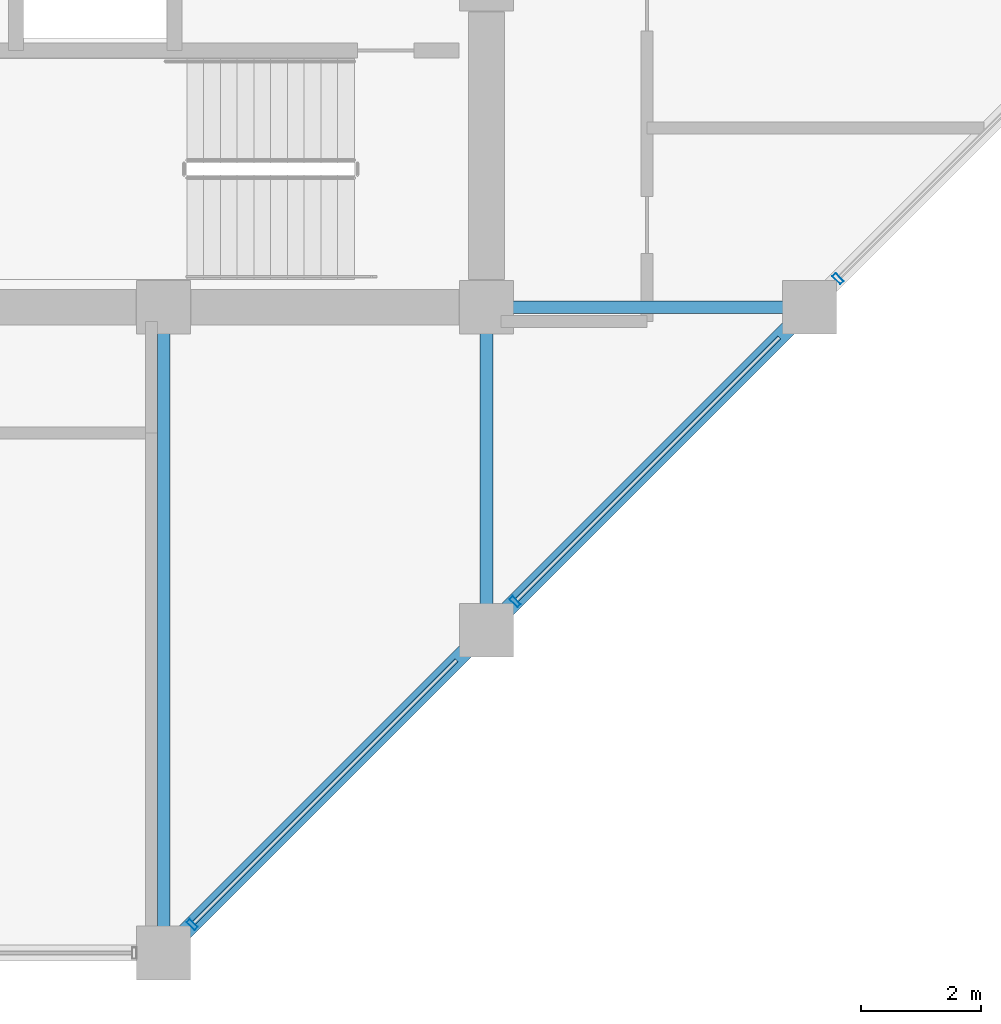
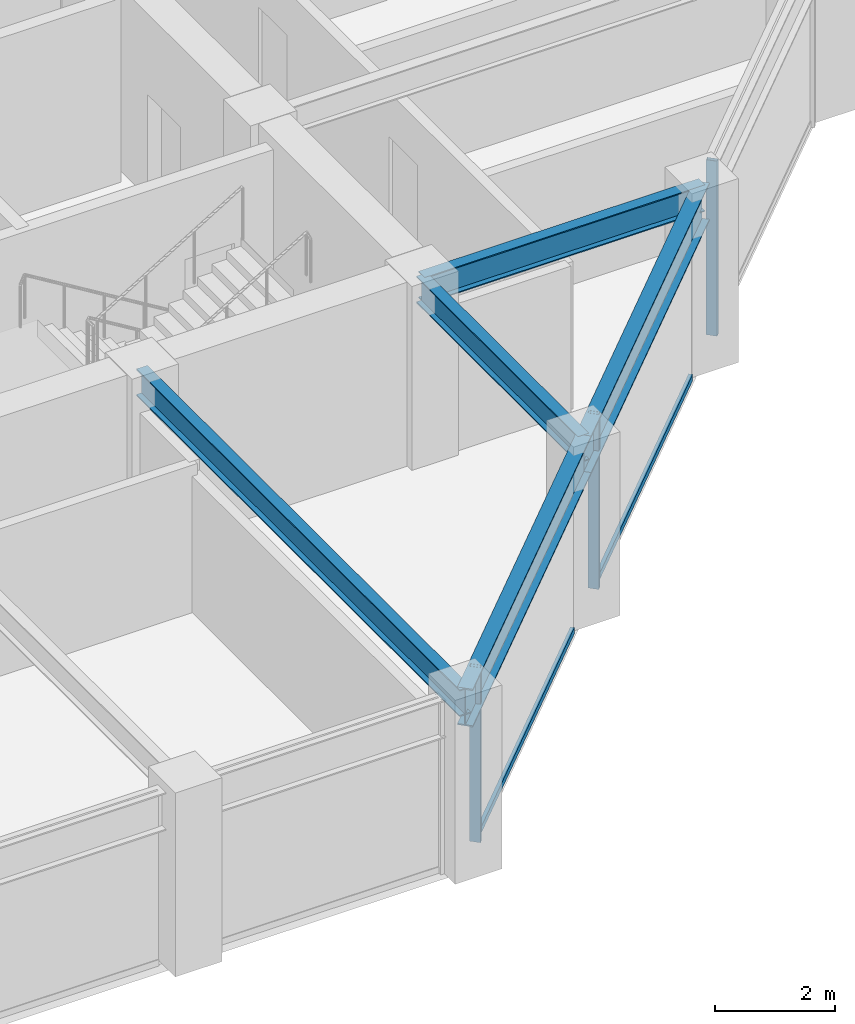
# One storey, part 12 of 32: 5 beams, 5 members, 1 element without a shape of its own.
"""IFC4 building model written with IfcOpenShell, lengths in metres."""

from ifc_helpers import new_model, si_unit, direction, frame, origin, origin_2d, place, context, subcontext, project, spatial, hollow_rectangle, i_section, extrude, material, layer, layer_set, material_profile, profile_set, type_object, element, aggregate, save


model = new_model("IFC4")

# Units and contexts
model_context = context("Model", 3, precision=1e-05, world=origin(), true_north=direction((0.0, 1.0)))
body_context = subcontext(model_context, "Body", "Model", "MODEL_VIEW")
ifc_project = project(units=[si_unit("LENGTHUNIT", "METRE"), si_unit("AREAUNIT", "SQUARE_METRE"), si_unit("VOLUMEUNIT", "CUBIC_METRE"), si_unit("PLANEANGLEUNIT", "RADIAN"), si_unit("MASSUNIT", "GRAM", prefix="KILO")], contexts=[model_context])

# Site, building, storey
site_placement = place(None, origin())
site = spatial("IfcSite", under=ifc_project, at=site_placement, CompositionType="ELEMENT")
building_placement = place(site_placement, origin())
building = spatial("IfcBuilding", under=site, at=building_placement, Name="Surkhivell Harbour Commons", CompositionType="ELEMENT")
storey_placement = place(building_placement, frame((0.0, 0.0, 204.75)))
storey = spatial("IfcBuildingStorey", under=building, at=storey_placement, Name="L53", CompositionType="ELEMENT", Elevation=204.75)

# Beams
ifc_material_1 = material(Name="Steel S355", Category="steel")
ifc_material_profile_1 = material_profile(ifc_material_1, i_section(OverallWidth=0.2119140625, OverallDepth=0.5439453125, WebThickness=0.0126953125, FlangeThickness=0.021240234375, at=origin_2d()), Name="UB533x210x122")
ifc_profile_set_1 = profile_set([ifc_material_profile_1], Name="Steel S355")
beam_type_1 = type_object("IfcBeamType", Name="BM-GRD-533A", PredefinedType="BEAM", material=ifc_profile_set_1)
beam_1_placement = place(storey_placement, frame((5.39990234375, -21.60009765625, 3.298095703125), z_axis=(0.0, 1.0, 0.0), x_axis=(-1.0, 0.0, 0.0)))
element("IfcBeam", 1, at=beam_1_placement, inside=storey, type_object=beam_type_1, Name="L53 Floor Girder (5.4,-21.6)", PredefinedType="BEAM", context=body_context, shape_type="SweptSolid", body=[
    extrude(i_section(OverallWidth=0.2119140625, OverallDepth=0.5439453125, WebThickness=0.0126953125, FlangeThickness=0.021240234375, at=origin_2d()), origin(), (0.0, 0.0, 1.0), 10.800048828125),
])
for number, where, z_axis, x_axis, name in (
    (2, (10.800048828125, -16.199951171875, 3.298095703125), (0.0, 1.0, 0.0), (-1.0, 0.0, 0.0), "L53 Floor Girder (10.8,-16.2)"),
    (3, (10.800048828125, -10.800048828125, 3.298095703125), (1.0, 0.0, 0.0), (0.0, 1.0, 0.0), "L53 Floor Girder (10.8,-10.8)"),
):
    element("IfcBeam", number, at=place(storey_placement, frame(where, z_axis=z_axis, x_axis=x_axis)), inside=storey, type_object=beam_type_1, Name=name, PredefinedType="BEAM", context=body_context, shape_type="SweptSolid", body=[
        extrude(i_section(OverallWidth=0.2119140625, OverallDepth=0.5439453125, WebThickness=0.0126953125, FlangeThickness=0.021240234375, at=origin_2d()), origin(), (0.0, 0.0, 1.0), 5.39990234375),
    ])
ifc_material_profile_2 = material_profile(ifc_material_1, i_section(OverallWidth=0.26806640625, OverallDepth=0.77001953125, WebThickness=0.015625, FlangeThickness=0.025390625, at=origin_2d()), Name="UB762x267x197")
ifc_profile_set_2 = profile_set([ifc_material_profile_2], Name="Steel S355")
beam_type_2 = type_object("IfcBeamType", Name="BM-SPN-762", PredefinedType="SPANDREL", material=ifc_profile_set_2)
beam_2_placement = place(storey_placement, frame((5.39990234375, -21.60009765625, 3.18505859375), z_axis=(0.707106781187, 0.707106781187, 0.0), x_axis=(-0.707106781187, 0.707106781187, 0.0)))
element("IfcBeam", 4, at=beam_2_placement, inside=storey, type_object=beam_type_2, Name="L53 Tube Spandrel (5.4,-21.6)", PredefinedType="SPANDREL", context=body_context, shape_type="SweptSolid", body=[
    extrude(i_section(OverallWidth=0.26806640625, OverallDepth=0.77001953125, WebThickness=0.015625, FlangeThickness=0.025390625, at=origin_2d()), origin(), (0.0, 0.0, 1.0), 7.636962890625),
])
beam_3_placement = place(storey_placement, frame((10.800048828125, -16.199951171875, 3.18505859375), z_axis=(0.707106781187, 0.707106781187, 0.0), x_axis=(-0.707106781187, 0.707106781187, 0.0)))
element("IfcBeam", 5, at=beam_3_placement, inside=storey, type_object=beam_type_2, Name="L53 Tube Spandrel (10.8,-16.2)", PredefinedType="SPANDREL", context=body_context, shape_type="SweptSolid", body=[
    extrude(i_section(OverallWidth=0.26806640625, OverallDepth=0.77001953125, WebThickness=0.015625, FlangeThickness=0.025390625, at=origin_2d()), origin(), (0.0, 0.0, 1.0), 7.63671875),
])

# Curtain wall, members
ifc_material_2 = material(Name="Anodised pale-metal aluminium and insulated glazing", Category="aluminium")
ifc_layer = layer(ifc_material_2, 0.18994140625)
ifc_layer_set = layer_set([ifc_layer], Name="Anodised pale-metal aluminium and insulated glazing")
curtain_wall_type = type_object("IfcCurtainWallType", Name="CW-SYS-Z3", PredefinedType="NOTDEFINED", material=ifc_layer_set)
curtain_wall_placement = place(storey_placement, origin())
curtain_wall = element("IfcCurtainWall", 6, at=curtain_wall_placement, inside=storey, type_object=curtain_wall_type, Name="L53 Curtain Wall CW-L53-E01", PredefinedType="NOTDEFINED")
ifc_material_3 = material(Name="Anodised pale-metal aluminium alloy 6063-T6", Category="aluminium")
ifc_material_profile_3 = material_profile(ifc_material_3, hollow_rectangle(XDim=0.074951171875, YDim=0.18994140625, WallThickness=0.00390625, at=origin_2d()), Name="ALU-MULL-75x190")
ifc_profile_set_3 = profile_set([ifc_material_profile_3], Name="Anodised pale-metal aluminium alloy 6063-T6")
member_type_1 = type_object("IfcMemberType", Name="CWM-190", PredefinedType="MULLION", material=ifc_profile_set_3)
member_1_placement = place(storey_placement, frame((5.878173828125, -21.121826171875, 0.0), z_axis=(0.0, 0.0, 1.0), x_axis=(0.707106781187, 0.707106781187, 0.0)))
member_1 = element("IfcMember", 7, at=member_1_placement, type_object=member_type_1, Name="CW-Z3 mullion 1", PredefinedType="MULLION", context=body_context, shape_type="SweptSolid", body=[
    extrude(hollow_rectangle(XDim=0.074951171875, YDim=0.18994140625, WallThickness=0.00390625, at=origin_2d()), origin(), (0.0, 0.0, 1.0), 3.570068359375),
])
member_2_placement = place(storey_placement, frame((11.278076171875, -15.721923828125, 0.0), z_axis=(0.0, 0.0, 1.0), x_axis=(0.707106781187, 0.707106781187, 0.0)))
member_2 = element("IfcMember", 8, at=member_2_placement, type_object=member_type_1, Name="CW-Z3 mullion 2", PredefinedType="MULLION", context=body_context, shape_type="SweptSolid", body=[
    extrude(hollow_rectangle(XDim=0.074951171875, YDim=0.18994140625, WallThickness=0.00390625, at=origin_2d()), origin(), (0.0, 0.0, 1.0), 3.570068359375),
])
member_3_placement = place(storey_placement, frame((16.67822265625, -10.32177734375, 0.0), z_axis=(0.0, 0.0, 1.0), x_axis=(0.707106781187, 0.707106781187, 0.0)))
member_3 = element("IfcMember", 9, at=member_3_placement, type_object=member_type_1, Name="CW-Z3 mullion 3", PredefinedType="MULLION", context=body_context, shape_type="SweptSolid", body=[
    extrude(hollow_rectangle(XDim=0.074951171875, YDim=0.18994140625, WallThickness=0.00390625, at=origin_2d()), origin(), (0.0, 0.0, 1.0), 3.570068359375),
])
ifc_material_4 = material(Name="Champagne anodised aluminium alloy 6063-T6", Category="aluminium")
ifc_material_profile_4 = material_profile(ifc_material_4, hollow_rectangle(XDim=0.070068359375, YDim=0.1298828125, WallThickness=0.00341796875, at=origin_2d()), Name="ALU-TRAN-70x130")
ifc_profile_set_4 = profile_set([ifc_material_profile_4], Name="Champagne anodised aluminium alloy 6063-T6")
member_type_2 = type_object("IfcMemberType", Name="CWT-130", PredefinedType="USERDEFINED", material=ifc_profile_set_4)
member_4_placement = place(storey_placement, frame((5.90478515625, -21.09521484375, 0.06494140625), z_axis=(0.707106781187, 0.707106781187, 0.0), x_axis=(-0.707106781187, 0.707106781187, 0.0)))
member_4 = element("IfcMember", 10, at=member_4_placement, type_object=member_type_2, Name="CW-Z3 transom 1.1", ObjectType="TRANSOM", PredefinedType="USERDEFINED", context=body_context, shape_type="SweptSolid", body=[
    extrude(hollow_rectangle(XDim=0.070068359375, YDim=0.1298828125, WallThickness=0.00341796875, at=origin_2d()), origin(), (0.0, 0.0, 1.0), 6.209228515625),
])
member_5_placement = place(storey_placement, frame((11.3046875, -15.6953125, 0.06494140625), z_axis=(0.707106781187, 0.707106781187, 0.0), x_axis=(-0.707106781187, 0.707106781187, 0.0)))
member_5 = element("IfcMember", 11, at=member_5_placement, type_object=member_type_2, Name="CW-Z3 transom 2.1", ObjectType="TRANSOM", PredefinedType="USERDEFINED", context=body_context, shape_type="SweptSolid", body=[
    extrude(hollow_rectangle(XDim=0.070068359375, YDim=0.1298828125, WallThickness=0.00341796875, at=origin_2d()), origin(), (0.0, 0.0, 1.0), 6.209228515625),
])
aggregate(curtain_wall, [member_1, member_4, member_2, member_5, member_3])

save(model, "model.ifc")
